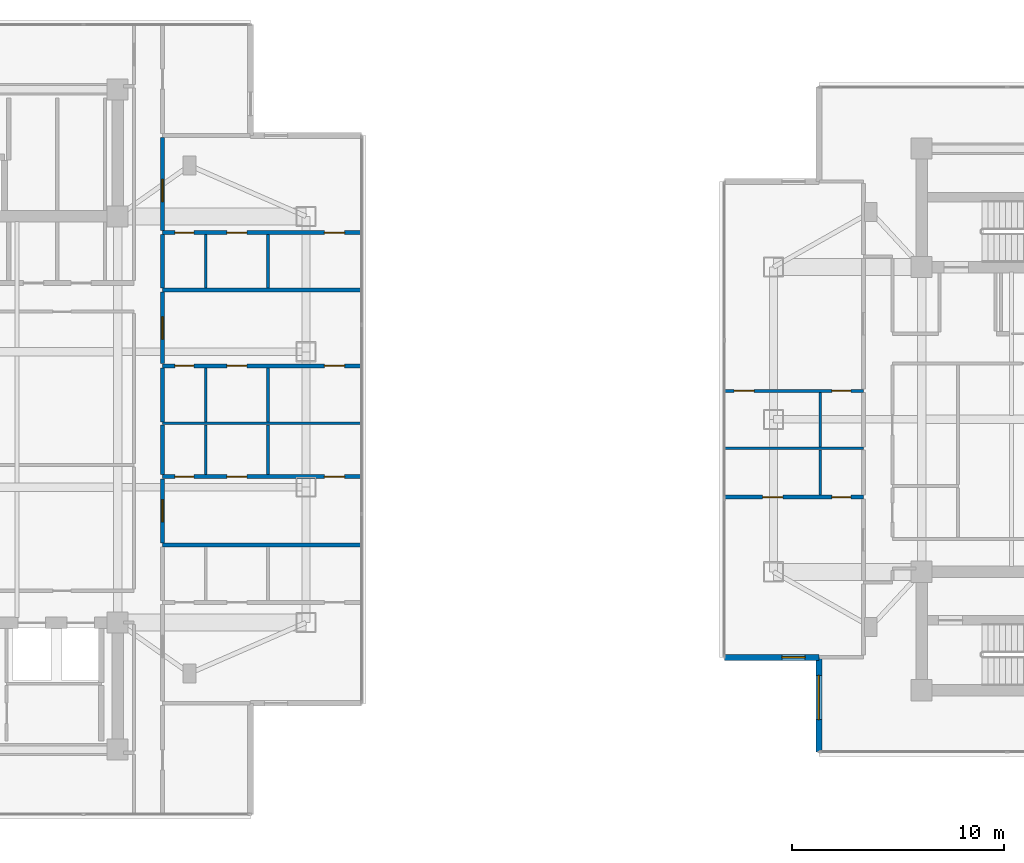
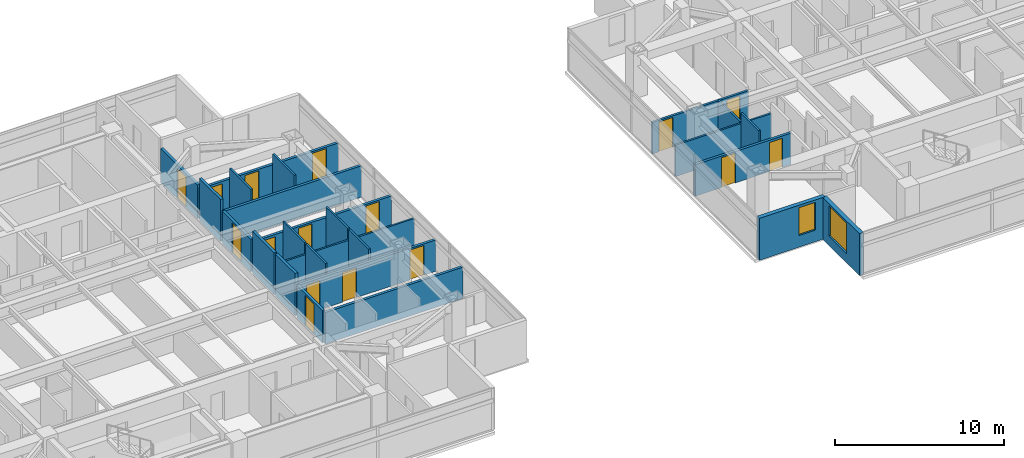
# One storey, part 16 of 26: 25 walls, 16 doors, 2 windows, 18 openings.
"""IFC4 building model written with IfcOpenShell, lengths in metres."""

from ifc_helpers import new_model, si_unit, direction, frame, frame_2d, origin, place, context, subcontext, project, spatial, rectangle, extrude, material, layer, layer_set, type_object, element, fill, save


model = new_model("IFC4")

# Units and contexts
model_context = context("Model", 3, precision=1e-05, world=origin(), true_north=direction((0.0, 1.0)))
body_context = subcontext(model_context, "Body", "Model", "MODEL_VIEW")
ifc_project = project(units=[si_unit("LENGTHUNIT", "METRE"), si_unit("AREAUNIT", "SQUARE_METRE"), si_unit("VOLUMEUNIT", "CUBIC_METRE"), si_unit("PLANEANGLEUNIT", "RADIAN"), si_unit("MASSUNIT", "GRAM", prefix="KILO")], contexts=[model_context])

# Site, building, storey
site_placement = place(None, origin())
site = spatial("IfcSite", under=ifc_project, at=site_placement, CompositionType="ELEMENT")
building_placement = place(site_placement, origin())
building = spatial("IfcBuilding", under=site, at=building_placement, Name="Mirazonda Arch Towers", CompositionType="ELEMENT")
storey_placement = place(building_placement, frame((0.0, 0.0, 170.64990234375)))
storey = spatial("IfcBuildingStorey", under=building, at=storey_placement, Name="L48", CompositionType="ELEMENT", Elevation=170.64990234375)

# Wall, opening, window
ifc_material_1 = material(Name="Precast Concrete C40/50", Category="concrete")
ifc_layer_1 = layer(ifc_material_1, 0.280029296875, Name="WALL-EXT-WALL-280")
ifc_layer_set_1 = layer_set([ifc_layer_1], Name="Precast Concrete C40/50")
wall_type_1 = type_object("IfcWallType", Name="WALL-EXT-WALL-280", PredefinedType="SOLIDWALL", material=ifc_layer_set_1)
wall_1_placement = place(storey_placement, frame((63.142578125, 16.757080078125, 0.0), z_axis=(0.0, 0.0, 1.0), x_axis=(0.0, -1.0, 0.0)))
wall_1 = element("IfcWall", 1, at=wall_1_placement, inside=storey, type_object=wall_type_1, Name="L48 T2 Notched SW Corner Wall WL-L48-T2-CSW", PredefinedType="SOLIDWALL", context=body_context, shape_type="SweptSolid", body=[
    extrude(rectangle(XDim=4.465087890625, YDim=0.280029296875, at=frame_2d((2.232421875, 0.0))), origin(), (0.0, 0.0, 1.0), 3.030029296875),
])
opening_1_placement = place(wall_1_placement, frame((0.85009765625, 0.0, 0.679931640625)))
opening_1 = element("IfcOpeningElement", 2, at=opening_1_placement, cuts=wall_1, Name="Opening WN-117", PredefinedType="OPENING", context=body_context, shape_type="SweptSolid", body=[
    extrude(rectangle(XDim=2.10009765625, YDim=2.199951171875, at=frame_2d((1.050048828125, 1.10009765625))), frame((0.0, 0.14990234375, 0.0), z_axis=(0.0, -1.0, 0.0), x_axis=(1.0, 0.0, 0.0)), (0.0, 0.0, 1.0), 0.300048828125),
])
ifc_material_2 = material(Name="Insulated Low-E Solar Glass", Category="glass")
window_type_1 = type_object("IfcWindowType", Name="WIN-RES-2100x2200", PartitioningType="SINGLE_PANEL", PredefinedType="WINDOW", material=ifc_material_2)
window_1_placement = place(opening_1_placement, origin())
window_1 = element("IfcWindow", 3, at=window_1_placement, inside=storey, type_object=window_type_1, Name="L48 Punched Facade Window WN-L48-T2-CSW", OverallHeight=2.199951171875, OverallWidth=2.10009765625, PartitioningType="SINGLE_PANEL", PredefinedType="WINDOW", context=body_context, shape_type="SweptSolid", body=[
    extrude(rectangle(XDim=2.10009765625, YDim=2.199951171875, at=frame_2d((1.050048828125, 1.10009765625))), frame((0.0, 0.030029296875, 0.0), z_axis=(0.0, -1.0, 0.0), x_axis=(1.0, 0.0, 0.0)), (0.0, 0.0, 1.0), 0.06005859375),
])
fill(opening_1, window_1)

wall_2_placement = place(storey_placement, frame((58.677490234375, 16.757080078125, 0.0), z_axis=(0.0, 0.0, 1.0), x_axis=(1.0, 0.0, 0.0)))
wall_2 = element("IfcWall", 4, at=wall_2_placement, inside=storey, type_object=wall_type_1, Name="L48 T2 Corner Notch Return Wall WL-L48-T2-CSW2", PredefinedType="SOLIDWALL", context=body_context, shape_type="SweptSolid", body=[
    extrude(rectangle(XDim=4.465087890625, YDim=0.280029296875, at=frame_2d((2.232421875, 0.0))), origin(), (0.0, 0.0, 1.0), 3.030029296875),
])
opening_2_placement = place(wall_2_placement, frame((2.715087890625, 0.0, 0.85009765625)))
opening_2 = element("IfcOpeningElement", 5, at=opening_2_placement, cuts=wall_2, Name="Opening WN-108", PredefinedType="OPENING", context=body_context, shape_type="SweptSolid", body=[
    extrude(rectangle(XDim=1.10009765625, YDim=2.0, at=frame_2d((0.550048828125, 1.0))), frame((0.0, 0.14990234375, 0.0), z_axis=(0.0, -1.0, 0.0), x_axis=(1.0, 0.0, 0.0)), (0.0, 0.0, 1.0), 0.300048828125),
])
window_type_2 = type_object("IfcWindowType", Name="WIN-NOTCH-1100x2000", PartitioningType="SINGLE_PANEL", PredefinedType="WINDOW", material=ifc_material_2)
window_2_placement = place(opening_2_placement, origin())
window_2 = element("IfcWindow", 6, at=window_2_placement, inside=storey, type_object=window_type_2, Name="L48 Punched Facade Window WN-L48-T2-CSW2", OverallHeight=2.0, OverallWidth=1.10009765625, PartitioningType="SINGLE_PANEL", PredefinedType="WINDOW", context=body_context, shape_type="SweptSolid", body=[
    extrude(rectangle(XDim=1.10009765625, YDim=2.0, at=frame_2d((0.550048828125, 1.0))), frame((0.0, 0.030029296875, 0.0), z_axis=(0.0, -1.0, 0.0), x_axis=(1.0, 0.0, 0.0)), (0.0, 0.0, 1.0), 0.06005859375),
])
fill(opening_2, window_2)

# Wall, openings, doors
ifc_material_3 = material(Name="Fire-Rated Gypsum Stud Partition")
ifc_layer_2 = layer(ifc_material_3, 0.14990234375, Name="WALL-PART-CORR-150")
ifc_layer_set_2 = layer_set([ifc_layer_2], Name="Fire-Rated Gypsum Stud Partition")
wall_type_2 = type_object("IfcWallType", Name="WALL-PART-CORR-150", PredefinedType="PARTITIONING", material=ifc_layer_set_2)
wall_3_placement = place(storey_placement, frame((58.677978515625, 29.35205078125, 0.0), z_axis=(0.0, 0.0, 1.0), x_axis=(1.0, 0.0, 0.0)))
wall_3 = element("IfcWall", 7, at=wall_3_placement, inside=storey, type_object=wall_type_2, Name="L48 Interior Partition 038", PredefinedType="PARTITIONING", context=body_context, shape_type="SweptSolid", body=[
    extrude(rectangle(XDim=6.572021484375, YDim=0.14990234375, at=frame_2d((3.2861328125, 0.0))), origin(), (0.0, 0.0, 1.0), 2.26904296875),
])
opening_3_placement = place(wall_3_placement, frame((0.4609375, 0.0, 0.0)))
opening_3 = element("IfcOpeningElement", 8, at=opening_3_placement, cuts=wall_3, Name="Opening DR-104", PredefinedType="OPENING", context=body_context, shape_type="SweptSolid", body=[
    extrude(rectangle(XDim=0.949951171875, YDim=2.14990234375, at=frame_2d((0.47509765625, 1.074951171875))), frame((0.0, 0.0849609375, 0.0), z_axis=(0.0, -1.0, 0.0), x_axis=(1.0, 0.0, 0.0)), (0.0, 0.0, 1.0), 0.169921875),
])
opening_4_placement = place(wall_3_placement, frame((5.08203125, 0.0, 0.0)))
opening_4 = element("IfcOpeningElement", 9, at=opening_4_placement, cuts=wall_3, Name="Opening DR-120", PredefinedType="OPENING", context=body_context, shape_type="SweptSolid", body=[
    extrude(rectangle(XDim=0.89990234375, YDim=2.10009765625, at=frame_2d((0.449951171875, 1.050048828125))), frame((0.0, 0.0849609375, 0.0), z_axis=(0.0, -1.0, 0.0), x_axis=(1.0, 0.0, 0.0)), (0.0, 0.0, 1.0), 0.169921875),
])
ifc_material_4 = material(Name="Architectural Brushed Steel S355", Category="steel")
door_type_1 = type_object("IfcDoorType", Name="DOOR-ROOM-950", OperationType="NOTDEFINED", PredefinedType="DOOR", material=ifc_material_4)
door_1_placement = place(opening_3_placement, origin())
door_1 = element("IfcDoor", 10, at=door_1_placement, inside=storey, type_object=door_type_1, Name="L48 Studio 2 Galley Kitchen Door", OperationType="SINGLE_SWING_RIGHT", OverallHeight=2.14990234375, OverallWidth=0.949951171875, PredefinedType="DOOR", context=body_context, shape_type="SweptSolid", body=[
    extrude(rectangle(XDim=0.949951171875, YDim=2.14990234375, at=frame_2d((0.47509765625, 1.074951171875))), frame((0.0, 0.02490234375, 0.0), z_axis=(0.0, -1.0, 0.0), x_axis=(1.0, 0.0, 0.0)), (0.0, 0.0, 1.0), 0.050048828125),
])
fill(opening_3, door_1)
door_type_2 = type_object("IfcDoorType", Name="DOOR-WC-900", OperationType="NOTDEFINED", PredefinedType="DOOR", material=ifc_material_4)
door_2_placement = place(opening_4_placement, origin())
door_2 = element("IfcDoor", 11, at=door_2_placement, inside=storey, type_object=door_type_2, Name="L48 Studio 2 Bathroom Door", OperationType="SINGLE_SWING_LEFT", OverallHeight=2.10009765625, OverallWidth=0.89990234375, PredefinedType="DOOR", context=body_context, shape_type="SweptSolid", body=[
    extrude(rectangle(XDim=0.89990234375, YDim=2.10009765625, at=frame_2d((0.449951171875, 1.050048828125))), frame((0.0, 0.02490234375, 0.0), z_axis=(0.0, -1.0, 0.0), x_axis=(1.0, 0.0, 0.0)), (0.0, 0.0, 1.0), 0.050048828125),
])
fill(opening_4, door_2)

# Wall
ifc_material_5 = material(Name="Fire-Rated Gypsum Twin-Stud Assembly")
ifc_layer_3 = layer(ifc_material_5, 0.179931640625, Name="WALL-PART-DEMISE-180")
ifc_layer_set_3 = layer_set([ifc_layer_3], Name="Fire-Rated Gypsum Twin-Stud Assembly")
wall_type_3 = type_object("IfcWallType", Name="WALL-PART-DEMISE-180", PredefinedType="PARTITIONING", material=ifc_layer_set_3)
wall_4_placement = place(storey_placement, frame((32.1201171875, 22.070068359375, 0.0), z_axis=(0.0, 0.0, 1.0), x_axis=(1.0, 0.0, 0.0)))
element("IfcWall", 12, at=wall_4_placement, inside=storey, type_object=wall_type_3, Name="L48 Interior Partition 022", PredefinedType="PARTITIONING", context=body_context, shape_type="SweptSolid", body=[
    extrude(rectangle(XDim=9.409912109375, YDim=0.179931640625, at=frame_2d((4.705078125, 0.0))), origin(), (0.0, 0.0, 1.0), 2.26904296875),
])

# Wall, openings, doors
wall_5_placement = place(storey_placement, frame((58.677978515625, 24.33203125, 0.0), z_axis=(0.0, 0.0, 1.0), x_axis=(1.0, 0.0, 0.0)))
wall_5 = element("IfcWall", 13, at=wall_5_placement, inside=storey, type_object=wall_type_3, Name="L48 Interior Partition 026", PredefinedType="PARTITIONING", context=body_context, shape_type="SweptSolid", body=[
    extrude(rectangle(XDim=6.572021484375, YDim=0.179931640625, at=frame_2d((3.2861328125, 0.0))), origin(), (0.0, 0.0, 1.0), 2.26904296875),
])
opening_5_placement = place(wall_5_placement, frame((1.81103515625, 0.0, 0.0)))
opening_5 = element("IfcOpeningElement", 14, at=opening_5_placement, cuts=wall_5, Name="Opening DR-104", PredefinedType="OPENING", context=body_context, shape_type="SweptSolid", body=[
    extrude(rectangle(XDim=0.949951171875, YDim=2.14990234375, at=frame_2d((0.47509765625, 1.074951171875))), frame((0.0, 0.099853515625, 0.0), z_axis=(0.0, -1.0, 0.0), x_axis=(1.0, 0.0, 0.0)), (0.0, 0.0, 1.0), 0.199951171875),
])
opening_6_placement = place(wall_5_placement, frame((5.08203125, 0.0, 0.0)))
opening_6 = element("IfcOpeningElement", 15, at=opening_6_placement, cuts=wall_5, Name="Opening DR-120", PredefinedType="OPENING", context=body_context, shape_type="SweptSolid", body=[
    extrude(rectangle(XDim=0.89990234375, YDim=2.10009765625, at=frame_2d((0.449951171875, 1.050048828125))), frame((0.0, 0.099853515625, 0.0), z_axis=(0.0, -1.0, 0.0), x_axis=(1.0, 0.0, 0.0)), (0.0, 0.0, 1.0), 0.199951171875),
])
door_3_placement = place(opening_5_placement, origin())
door_3 = element("IfcDoor", 16, at=door_3_placement, inside=storey, type_object=door_type_1, Name="L48 Studio 1 Galley Kitchen Door", OperationType="SINGLE_SWING_LEFT", OverallHeight=2.14990234375, OverallWidth=0.949951171875, PredefinedType="DOOR", context=body_context, shape_type="SweptSolid", body=[
    extrude(rectangle(XDim=0.949951171875, YDim=2.14990234375, at=frame_2d((0.47509765625, 1.074951171875))), frame((0.0, 0.02490234375, 0.0), z_axis=(0.0, -1.0, 0.0), x_axis=(1.0, 0.0, 0.0)), (0.0, 0.0, 1.0), 0.050048828125),
])
fill(opening_5, door_3)
door_4_placement = place(opening_6_placement, origin())
door_4 = element("IfcDoor", 17, at=door_4_placement, inside=storey, type_object=door_type_2, Name="L48 Studio 1 Bathroom Door", OperationType="SINGLE_SWING_RIGHT", OverallHeight=2.10009765625, OverallWidth=0.89990234375, PredefinedType="DOOR", context=body_context, shape_type="SweptSolid", body=[
    extrude(rectangle(XDim=0.89990234375, YDim=2.10009765625, at=frame_2d((0.449951171875, 1.050048828125))), frame((0.0, 0.02490234375, 0.0), z_axis=(0.0, -1.0, 0.0), x_axis=(1.0, 0.0, 0.0)), (0.0, 0.0, 1.0), 0.050048828125),
])
fill(opening_6, door_4)

wall_6_placement = place(storey_placement, frame((32.1201171875, 25.297119140625, 0.0), z_axis=(0.0, 0.0, 1.0), x_axis=(1.0, 0.0, 0.0)))
wall_6 = element("IfcWall", 18, at=wall_6_placement, inside=storey, type_object=wall_type_3, Name="L48 Interior Partition 030", PredefinedType="PARTITIONING", context=body_context, shape_type="SweptSolid", body=[
    extrude(rectangle(XDim=9.409912109375, YDim=0.179931640625, at=frame_2d((4.705078125, 0.0))), origin(), (0.0, 0.0, 1.0), 2.26904296875),
])
opening_7_placement = place(wall_6_placement, frame((7.654052734375, 0.0, 0.0)))
opening_7 = element("IfcOpeningElement", 19, at=opening_7_placement, cuts=wall_6, Name="Opening DR-104", PredefinedType="OPENING", context=body_context, shape_type="SweptSolid", body=[
    extrude(rectangle(XDim=0.949951171875, YDim=2.14990234375, at=frame_2d((0.47509765625, 1.074951171875))), frame((0.0, 0.099853515625, 0.0), z_axis=(0.0, -1.0, 0.0), x_axis=(1.0, 0.0, 0.0)), (0.0, 0.0, 1.0), 0.199951171875),
])
opening_8_placement = place(wall_6_placement, frame((3.0390625, 0.0, 0.0)))
opening_8 = element("IfcOpeningElement", 20, at=opening_8_placement, cuts=wall_6, Name="Opening DR-104", PredefinedType="OPENING", context=body_context, shape_type="SweptSolid", body=[
    extrude(rectangle(XDim=0.949951171875, YDim=2.14990234375, at=frame_2d((0.47509765625, 1.074951171875))), frame((0.0, 0.099853515625, 0.0), z_axis=(0.0, -1.0, 0.0), x_axis=(1.0, 0.0, 0.0)), (0.0, 0.0, 1.0), 0.199951171875),
])
opening_9_placement = place(wall_6_placement, frame((0.590087890625, 0.0, 0.0)))
opening_9 = element("IfcOpeningElement", 21, at=opening_9_placement, cuts=wall_6, Name="Opening DR-120", PredefinedType="OPENING", context=body_context, shape_type="SweptSolid", body=[
    extrude(rectangle(XDim=0.89990234375, YDim=2.10009765625, at=frame_2d((0.449951171875, 1.050048828125))), frame((0.0, 0.099853515625, 0.0), z_axis=(0.0, -1.0, 0.0), x_axis=(1.0, 0.0, 0.0)), (0.0, 0.0, 1.0), 0.199951171875),
])
door_5_placement = place(opening_7_placement, origin())
door_5 = element("IfcDoor", 22, at=door_5_placement, inside=storey, type_object=door_type_1, Name="L48 Residence 2 Principal Bedroom Door", OperationType="SINGLE_SWING_LEFT", OverallHeight=2.14990234375, OverallWidth=0.949951171875, PredefinedType="DOOR", context=body_context, shape_type="SweptSolid", body=[
    extrude(rectangle(XDim=0.949951171875, YDim=2.14990234375, at=frame_2d((0.47509765625, 1.074951171875))), frame((0.0, 0.02490234375, 0.0), z_axis=(0.0, -1.0, 0.0), x_axis=(1.0, 0.0, 0.0)), (0.0, 0.0, 1.0), 0.050048828125),
])
fill(opening_7, door_5)
door_6_placement = place(opening_8_placement, origin())
door_6 = element("IfcDoor", 23, at=door_6_placement, inside=storey, type_object=door_type_1, Name="L48 Residence 2 Fitted Kitchen Door", OperationType="SINGLE_SWING_RIGHT", OverallHeight=2.14990234375, OverallWidth=0.949951171875, PredefinedType="DOOR", context=body_context, shape_type="SweptSolid", body=[
    extrude(rectangle(XDim=0.949951171875, YDim=2.14990234375, at=frame_2d((0.47509765625, 1.074951171875))), frame((0.0, 0.02490234375, 0.0), z_axis=(0.0, -1.0, 0.0), x_axis=(1.0, 0.0, 0.0)), (0.0, 0.0, 1.0), 0.050048828125),
])
fill(opening_8, door_6)
door_7_placement = place(opening_9_placement, origin())
door_7 = element("IfcDoor", 24, at=door_7_placement, inside=storey, type_object=door_type_2, Name="L48 Residence 2 Bathroom Door", OperationType="SINGLE_SWING_LEFT", OverallHeight=2.10009765625, OverallWidth=0.89990234375, PredefinedType="DOOR", context=body_context, shape_type="SweptSolid", body=[
    extrude(rectangle(XDim=0.89990234375, YDim=2.10009765625, at=frame_2d((0.449951171875, 1.050048828125))), frame((0.0, 0.02490234375, 0.0), z_axis=(0.0, -1.0, 0.0), x_axis=(1.0, 0.0, 0.0)), (0.0, 0.0, 1.0), 0.050048828125),
])
fill(opening_9, door_7)

wall_7_placement = place(storey_placement, frame((32.1201171875, 30.532958984375, 0.0), z_axis=(0.0, 0.0, 1.0), x_axis=(1.0, 0.0, 0.0)))
wall_7 = element("IfcWall", 25, at=wall_7_placement, inside=storey, type_object=wall_type_3, Name="L48 Interior Partition 041", PredefinedType="PARTITIONING", context=body_context, shape_type="SweptSolid", body=[
    extrude(rectangle(XDim=9.409912109375, YDim=0.179931640625, at=frame_2d((4.705078125, 0.0))), origin(), (0.0, 0.0, 1.0), 2.26904296875),
])
opening_10_placement = place(wall_7_placement, frame((7.654052734375, 0.0, 0.0)))
opening_10 = element("IfcOpeningElement", 26, at=opening_10_placement, cuts=wall_7, Name="Opening DR-104", PredefinedType="OPENING", context=body_context, shape_type="SweptSolid", body=[
    extrude(rectangle(XDim=0.949951171875, YDim=2.14990234375, at=frame_2d((0.47509765625, 1.074951171875))), frame((0.0, 0.099853515625, 0.0), z_axis=(0.0, -1.0, 0.0), x_axis=(1.0, 0.0, 0.0)), (0.0, 0.0, 1.0), 0.199951171875),
])
opening_11_placement = place(wall_7_placement, frame((3.0390625, 0.0, 0.0)))
opening_11 = element("IfcOpeningElement", 27, at=opening_11_placement, cuts=wall_7, Name="Opening DR-104", PredefinedType="OPENING", context=body_context, shape_type="SweptSolid", body=[
    extrude(rectangle(XDim=0.949951171875, YDim=2.14990234375, at=frame_2d((0.47509765625, 1.074951171875))), frame((0.0, 0.099853515625, 0.0), z_axis=(0.0, -1.0, 0.0), x_axis=(1.0, 0.0, 0.0)), (0.0, 0.0, 1.0), 0.199951171875),
])
opening_12_placement = place(wall_7_placement, frame((0.590087890625, 0.0, 0.0)))
opening_12 = element("IfcOpeningElement", 28, at=opening_12_placement, cuts=wall_7, Name="Opening DR-120", PredefinedType="OPENING", context=body_context, shape_type="SweptSolid", body=[
    extrude(rectangle(XDim=0.89990234375, YDim=2.10009765625, at=frame_2d((0.449951171875, 1.050048828125))), frame((0.0, 0.099853515625, 0.0), z_axis=(0.0, -1.0, 0.0), x_axis=(1.0, 0.0, 0.0)), (0.0, 0.0, 1.0), 0.199951171875),
])
door_8_placement = place(opening_10_placement, origin())
door_8 = element("IfcDoor", 29, at=door_8_placement, inside=storey, type_object=door_type_1, Name="L48 Residence 3 Principal Bedroom Door", OperationType="SINGLE_SWING_LEFT", OverallHeight=2.14990234375, OverallWidth=0.949951171875, PredefinedType="DOOR", context=body_context, shape_type="SweptSolid", body=[
    extrude(rectangle(XDim=0.949951171875, YDim=2.14990234375, at=frame_2d((0.47509765625, 1.074951171875))), frame((0.0, 0.02490234375, 0.0), z_axis=(0.0, -1.0, 0.0), x_axis=(1.0, 0.0, 0.0)), (0.0, 0.0, 1.0), 0.050048828125),
])
fill(opening_10, door_8)
door_9_placement = place(opening_11_placement, origin())
door_9 = element("IfcDoor", 30, at=door_9_placement, inside=storey, type_object=door_type_1, Name="L48 Residence 3 Fitted Kitchen Door", OperationType="SINGLE_SWING_RIGHT", OverallHeight=2.14990234375, OverallWidth=0.949951171875, PredefinedType="DOOR", context=body_context, shape_type="SweptSolid", body=[
    extrude(rectangle(XDim=0.949951171875, YDim=2.14990234375, at=frame_2d((0.47509765625, 1.074951171875))), frame((0.0, 0.02490234375, 0.0), z_axis=(0.0, -1.0, 0.0), x_axis=(1.0, 0.0, 0.0)), (0.0, 0.0, 1.0), 0.050048828125),
])
fill(opening_11, door_9)
door_10_placement = place(opening_12_placement, origin())
door_10 = element("IfcDoor", 31, at=door_10_placement, inside=storey, type_object=door_type_2, Name="L48 Residence 3 Bathroom Door", OperationType="SINGLE_SWING_LEFT", OverallHeight=2.10009765625, OverallWidth=0.89990234375, PredefinedType="DOOR", context=body_context, shape_type="SweptSolid", body=[
    extrude(rectangle(XDim=0.89990234375, YDim=2.10009765625, at=frame_2d((0.449951171875, 1.050048828125))), frame((0.0, 0.02490234375, 0.0), z_axis=(0.0, -1.0, 0.0), x_axis=(1.0, 0.0, 0.0)), (0.0, 0.0, 1.0), 0.050048828125),
])
fill(opening_12, door_10)

# Wall
wall_8_placement = place(storey_placement, frame((32.1201171875, 34.114990234375, 0.0), z_axis=(0.0, 0.0, 1.0), x_axis=(1.0, 0.0, 0.0)))
element("IfcWall", 32, at=wall_8_placement, inside=storey, type_object=wall_type_3, Name="L48 Interior Partition 048", PredefinedType="PARTITIONING", context=body_context, shape_type="SweptSolid", body=[
    extrude(rectangle(XDim=9.409912109375, YDim=0.179931640625, at=frame_2d((4.705078125, 0.0))), origin(), (0.0, 0.0, 1.0), 2.26904296875),
])

# Wall, openings, doors
wall_9_placement = place(storey_placement, frame((32.1201171875, 36.8349609375, 0.0), z_axis=(0.0, 0.0, 1.0), x_axis=(1.0, 0.0, 0.0)))
wall_9 = element("IfcWall", 33, at=wall_9_placement, inside=storey, type_object=wall_type_3, Name="L48 Interior Partition 054", PredefinedType="PARTITIONING", context=body_context, shape_type="SweptSolid", body=[
    extrude(rectangle(XDim=9.409912109375, YDim=0.179931640625, at=frame_2d((4.705078125, 0.0))), origin(), (0.0, 0.0, 1.0), 2.26904296875),
])
opening_13_placement = place(wall_9_placement, frame((7.654052734375, 0.0, 0.0)))
opening_13 = element("IfcOpeningElement", 34, at=opening_13_placement, cuts=wall_9, Name="Opening DR-104", PredefinedType="OPENING", context=body_context, shape_type="SweptSolid", body=[
    extrude(rectangle(XDim=0.949951171875, YDim=2.14990234375, at=frame_2d((0.47509765625, 1.074951171875))), frame((0.0, 0.099853515625, 0.0), z_axis=(0.0, -1.0, 0.0), x_axis=(1.0, 0.0, 0.0)), (0.0, 0.0, 1.0), 0.199951171875),
])
opening_14_placement = place(wall_9_placement, frame((3.0390625, 0.0, 0.0)))
opening_14 = element("IfcOpeningElement", 35, at=opening_14_placement, cuts=wall_9, Name="Opening DR-104", PredefinedType="OPENING", context=body_context, shape_type="SweptSolid", body=[
    extrude(rectangle(XDim=0.949951171875, YDim=2.14990234375, at=frame_2d((0.47509765625, 1.074951171875))), frame((0.0, 0.099853515625, 0.0), z_axis=(0.0, -1.0, 0.0), x_axis=(1.0, 0.0, 0.0)), (0.0, 0.0, 1.0), 0.199951171875),
])
opening_15_placement = place(wall_9_placement, frame((0.590087890625, 0.0, 0.0)))
opening_15 = element("IfcOpeningElement", 36, at=opening_15_placement, cuts=wall_9, Name="Opening DR-120", PredefinedType="OPENING", context=body_context, shape_type="SweptSolid", body=[
    extrude(rectangle(XDim=0.89990234375, YDim=2.10009765625, at=frame_2d((0.449951171875, 1.050048828125))), frame((0.0, 0.099853515625, 0.0), z_axis=(0.0, -1.0, 0.0), x_axis=(1.0, 0.0, 0.0)), (0.0, 0.0, 1.0), 0.199951171875),
])
door_11_placement = place(opening_13_placement, origin())
door_11 = element("IfcDoor", 37, at=door_11_placement, inside=storey, type_object=door_type_1, Name="L48 Residence 4 Principal Bedroom Door", OperationType="SINGLE_SWING_LEFT", OverallHeight=2.14990234375, OverallWidth=0.949951171875, PredefinedType="DOOR", context=body_context, shape_type="SweptSolid", body=[
    extrude(rectangle(XDim=0.949951171875, YDim=2.14990234375, at=frame_2d((0.47509765625, 1.074951171875))), frame((0.0, 0.02490234375, 0.0), z_axis=(0.0, -1.0, 0.0), x_axis=(1.0, 0.0, 0.0)), (0.0, 0.0, 1.0), 0.050048828125),
])
fill(opening_13, door_11)
door_12_placement = place(opening_14_placement, origin())
door_12 = element("IfcDoor", 38, at=door_12_placement, inside=storey, type_object=door_type_1, Name="L48 Residence 4 Fitted Kitchen Door", OperationType="SINGLE_SWING_RIGHT", OverallHeight=2.14990234375, OverallWidth=0.949951171875, PredefinedType="DOOR", context=body_context, shape_type="SweptSolid", body=[
    extrude(rectangle(XDim=0.949951171875, YDim=2.14990234375, at=frame_2d((0.47509765625, 1.074951171875))), frame((0.0, 0.02490234375, 0.0), z_axis=(0.0, -1.0, 0.0), x_axis=(1.0, 0.0, 0.0)), (0.0, 0.0, 1.0), 0.050048828125),
])
fill(opening_14, door_12)
door_13_placement = place(opening_15_placement, origin())
door_13 = element("IfcDoor", 39, at=door_13_placement, inside=storey, type_object=door_type_2, Name="L48 Residence 4 Bathroom Door", OperationType="SINGLE_SWING_LEFT", OverallHeight=2.10009765625, OverallWidth=0.89990234375, PredefinedType="DOOR", context=body_context, shape_type="SweptSolid", body=[
    extrude(rectangle(XDim=0.89990234375, YDim=2.10009765625, at=frame_2d((0.449951171875, 1.050048828125))), frame((0.0, 0.02490234375, 0.0), z_axis=(0.0, -1.0, 0.0), x_axis=(1.0, 0.0, 0.0)), (0.0, 0.0, 1.0), 0.050048828125),
])
fill(opening_15, door_13)

# Wall, opening, door
wall_10_placement = place(storey_placement, frame((32.1201171875, 22.169921875, 0.0), z_axis=(0.0, 0.0, 1.0), x_axis=(0.0, 1.0, 0.0)))
wall_10 = element("IfcWall", 40, at=wall_10_placement, inside=storey, type_object=wall_type_3, Name="L48 Interior Partition 123", PredefinedType="PARTITIONING", context=body_context, shape_type="SweptSolid", body=[
    extrude(rectangle(XDim=3.027099609375, YDim=0.179931640625, at=frame_2d((1.513671875, 0.0))), origin(), (0.0, 0.0, 1.0), 2.34619140625),
])
opening_16_placement = place(wall_10_placement, frame((0.988525390625, 0.0, 0.0)))
opening_16 = element("IfcOpeningElement", 41, at=opening_16_placement, cuts=wall_10, Name="Opening DR-121", PredefinedType="OPENING", context=body_context, shape_type="SweptSolid", body=[
    extrude(rectangle(XDim=1.050048828125, YDim=2.199951171875, at=frame_2d((0.52490234375, 1.10009765625))), frame((0.0, 0.099853515625, 0.0), z_axis=(0.0, -1.0, 0.0), x_axis=(1.0, 0.0, 0.0)), (0.0, 0.0, 1.0), 0.199951171875),
])
door_type_3 = type_object("IfcDoorType", Name="DOOR-SUITE-FD60-1050", OperationType="NOTDEFINED", PredefinedType="DOOR", material=ifc_material_4)
door_14_placement = place(opening_16_placement, origin())
door_14 = element("IfcDoor", 42, at=door_14_placement, inside=storey, type_object=door_type_3, Name="L48 Residence 2 Living & Dining Salon Door", OperationType="SINGLE_SWING_RIGHT", OverallHeight=2.199951171875, OverallWidth=1.050048828125, PredefinedType="DOOR", context=body_context, shape_type="SweptSolid", body=[
    extrude(rectangle(XDim=1.050048828125, YDim=2.199951171875, at=frame_2d((0.52490234375, 1.10009765625))), frame((0.0, 0.02490234375, 0.0), z_axis=(0.0, -1.0, 0.0), x_axis=(1.0, 0.0, 0.0)), (0.0, 0.0, 1.0), 0.050048828125),
])
fill(opening_16, door_14)

# Walls
wall_11_placement = place(storey_placement, frame((32.1201171875, 25.39697265625, 0.0), z_axis=(0.0, 0.0, 1.0), x_axis=(0.0, 1.0, 0.0)))
element("IfcWall", 43, at=wall_11_placement, inside=storey, type_object=wall_type_3, Name="L48 Interior Partition 124", PredefinedType="PARTITIONING", context=body_context, shape_type="SweptSolid", body=[
    extrude(rectangle(XDim=2.345458984375, YDim=0.179931640625, at=frame_2d((1.1728515625, 0.0))), origin(), (0.0, 0.0, 1.0), 3.050048828125),
])
wall_12_placement = place(storey_placement, frame((32.1201171875, 27.887451171875, 0.0), z_axis=(0.0, 0.0, 1.0), x_axis=(0.0, 1.0, 0.0)))
element("IfcWall", 44, at=wall_12_placement, inside=storey, type_object=wall_type_3, Name="L48 Interior Partition 125", PredefinedType="PARTITIONING", context=body_context, shape_type="SweptSolid", body=[
    extrude(rectangle(XDim=2.545654296875, YDim=0.179931640625, at=frame_2d((1.27294921875, 0.0))), origin(), (0.0, 0.0, 1.0), 3.050048828125),
])

# Wall, opening, door
wall_13_placement = place(storey_placement, frame((32.1201171875, 30.633056640625, 0.0), z_axis=(0.0, 0.0, 1.0), x_axis=(0.0, 1.0, 0.0)))
wall_13 = element("IfcWall", 45, at=wall_13_placement, inside=storey, type_object=wall_type_3, Name="L48 Interior Partition 126", PredefinedType="PARTITIONING", context=body_context, shape_type="SweptSolid", body=[
    extrude(rectangle(XDim=3.3818359375, YDim=0.179931640625, at=frame_2d((1.69091796875, 0.0))), origin(), (0.0, 0.0, 1.0), 2.34619140625),
])
opening_17_placement = place(wall_13_placement, frame((1.166015625, 0.0, 0.0)))
opening_17 = element("IfcOpeningElement", 46, at=opening_17_placement, cuts=wall_13, Name="Opening DR-121", PredefinedType="OPENING", context=body_context, shape_type="SweptSolid", body=[
    extrude(rectangle(XDim=1.050048828125, YDim=2.199951171875, at=frame_2d((0.52490234375, 1.10009765625))), frame((0.0, 0.099853515625, 0.0), z_axis=(0.0, -1.0, 0.0), x_axis=(1.0, 0.0, 0.0)), (0.0, 0.0, 1.0), 0.199951171875),
])
door_15_placement = place(opening_17_placement, origin())
door_15 = element("IfcDoor", 47, at=door_15_placement, inside=storey, type_object=door_type_3, Name="L48 Residence 3 Living & Dining Salon Door", OperationType="SINGLE_SWING_RIGHT", OverallHeight=2.199951171875, OverallWidth=1.050048828125, PredefinedType="DOOR", context=body_context, shape_type="SweptSolid", body=[
    extrude(rectangle(XDim=1.050048828125, YDim=2.199951171875, at=frame_2d((0.52490234375, 1.10009765625))), frame((0.0, 0.02490234375, 0.0), z_axis=(0.0, -1.0, 0.0), x_axis=(1.0, 0.0, 0.0)), (0.0, 0.0, 1.0), 0.050048828125),
])
fill(opening_17, door_15)

# Wall
wall_14_placement = place(storey_placement, frame((32.1201171875, 34.215087890625, 0.0), z_axis=(0.0, 0.0, 1.0), x_axis=(0.0, 1.0, 0.0)))
element("IfcWall", 48, at=wall_14_placement, inside=storey, type_object=wall_type_3, Name="L48 Interior Partition 127", PredefinedType="PARTITIONING", context=body_context, shape_type="SweptSolid", body=[
    extrude(rectangle(XDim=2.52001953125, YDim=0.179931640625, at=frame_2d((1.260009765625, 0.0))), origin(), (0.0, 0.0, 1.0), 3.050048828125),
])

# Wall, opening, door
wall_15_placement = place(storey_placement, frame((32.1201171875, 36.93505859375, 0.0), z_axis=(0.0, 0.0, 1.0), x_axis=(0.0, 1.0, 0.0)))
wall_15 = element("IfcWall", 49, at=wall_15_placement, inside=storey, type_object=wall_type_3, Name="L48 Interior Partition 128", PredefinedType="PARTITIONING", context=body_context, shape_type="SweptSolid", body=[
    extrude(rectangle(XDim=4.3798828125, YDim=0.179931640625, at=frame_2d((2.18994140625, 0.0))), origin(), (0.0, 0.0, 1.0), 2.442138671875),
])
opening_18_placement = place(wall_15_placement, frame((1.364990234375, 0.0, 0.0)))
opening_18 = element("IfcOpeningElement", 50, at=opening_18_placement, cuts=wall_15, Name="Opening DR-121", PredefinedType="OPENING", context=body_context, shape_type="SweptSolid", body=[
    extrude(rectangle(XDim=1.050048828125, YDim=2.199951171875, at=frame_2d((0.52490234375, 1.10009765625))), frame((0.0, 0.099853515625, 0.0), z_axis=(0.0, -1.0, 0.0), x_axis=(1.0, 0.0, 0.0)), (0.0, 0.0, 1.0), 0.199951171875),
])
door_16_placement = place(opening_18_placement, origin())
door_16 = element("IfcDoor", 51, at=door_16_placement, inside=storey, type_object=door_type_3, Name="L48 Residence 4 Living & Dining Salon Door", OperationType="SINGLE_SWING_RIGHT", OverallHeight=2.199951171875, OverallWidth=1.050048828125, PredefinedType="DOOR", context=body_context, shape_type="SweptSolid", body=[
    extrude(rectangle(XDim=1.050048828125, YDim=2.199951171875, at=frame_2d((0.52490234375, 1.10009765625))), frame((0.0, 0.02490234375, 0.0), z_axis=(0.0, -1.0, 0.0), x_axis=(1.0, 0.0, 0.0)), (0.0, 0.0, 1.0), 0.050048828125),
])
fill(opening_18, door_16)

# Walls
ifc_material_6 = material(Name="Acoustic Fire-Rated Gypsum Partition")
ifc_layer_4 = layer(ifc_material_6, 0.125, Name="WALL-PART-UNIT-125")
ifc_layer_set_4 = layer_set([ifc_layer_4], Name="Acoustic Fire-Rated Gypsum Partition")
wall_type_4 = type_object("IfcWallType", Name="WALL-PART-UNIT-125", PredefinedType="PARTITIONING", material=ifc_layer_set_4)
wall_16_placement = place(storey_placement, frame((58.677978515625, 26.632080078125, 0.0), z_axis=(0.0, 0.0, 1.0), x_axis=(1.0, 0.0, 0.0)))
element("IfcWall", 52, at=wall_16_placement, inside=storey, type_object=wall_type_4, Name="L48 Interior Partition 033", PredefinedType="PARTITIONING", context=body_context, shape_type="SweptSolid", body=[
    extrude(rectangle(XDim=6.572021484375, YDim=0.125, at=frame_2d((3.2861328125, 0.0))), origin(), (0.0, 0.0, 1.0), 2.26904296875),
])
wall_17_placement = place(storey_placement, frame((32.1201171875, 27.81494140625, 0.0), z_axis=(0.0, 0.0, 1.0), x_axis=(1.0, 0.0, 0.0)))
element("IfcWall", 53, at=wall_17_placement, inside=storey, type_object=wall_type_4, Name="L48 Interior Partition 037", PredefinedType="PARTITIONING", context=body_context, shape_type="SweptSolid", body=[
    extrude(rectangle(XDim=9.409912109375, YDim=0.125, at=frame_2d((4.705078125, 0.0))), origin(), (0.0, 0.0, 1.0), 2.26904296875),
])
wall_18_placement = place(storey_placement, frame((34.159912109375, 25.39697265625, 0.0), z_axis=(0.0, 0.0, 1.0), x_axis=(0.0, 1.0, 0.0)))
element("IfcWall", 54, at=wall_18_placement, inside=storey, type_object=wall_type_4, Name="L48 Interior Partition 131", PredefinedType="PARTITIONING", context=body_context, shape_type="SweptSolid", body=[
    extrude(rectangle(XDim=2.345458984375, YDim=0.125, at=frame_2d((1.1728515625, 0.0))), origin(), (0.0, 0.0, 1.0), 3.050048828125),
])
wall_19_placement = place(storey_placement, frame((34.159912109375, 27.887451171875, 0.0), z_axis=(0.0, 0.0, 1.0), x_axis=(0.0, 1.0, 0.0)))
element("IfcWall", 55, at=wall_19_placement, inside=storey, type_object=wall_type_4, Name="L48 Interior Partition 132", PredefinedType="PARTITIONING", context=body_context, shape_type="SweptSolid", body=[
    extrude(rectangle(XDim=2.545654296875, YDim=0.125, at=frame_2d((1.27294921875, 0.0))), origin(), (0.0, 0.0, 1.0), 3.050048828125),
])
wall_20_placement = place(storey_placement, frame((34.159912109375, 34.215087890625, 0.0), z_axis=(0.0, 0.0, 1.0), x_axis=(0.0, 1.0, 0.0)))
element("IfcWall", 56, at=wall_20_placement, inside=storey, type_object=wall_type_4, Name="L48 Interior Partition 133", PredefinedType="PARTITIONING", context=body_context, shape_type="SweptSolid", body=[
    extrude(rectangle(XDim=2.52001953125, YDim=0.125, at=frame_2d((1.260009765625, 0.0))), origin(), (0.0, 0.0, 1.0), 3.050048828125),
])
wall_21_placement = place(storey_placement, frame((37.10791015625, 25.39697265625, 0.0), z_axis=(0.0, 0.0, 1.0), x_axis=(0.0, 1.0, 0.0)))
element("IfcWall", 57, at=wall_21_placement, inside=storey, type_object=wall_type_4, Name="L48 Interior Partition 135", PredefinedType="PARTITIONING", context=body_context, shape_type="SweptSolid", body=[
    extrude(rectangle(XDim=2.345458984375, YDim=0.125, at=frame_2d((1.1728515625, 0.0))), origin(), (0.0, 0.0, 1.0), 3.050048828125),
])
wall_22_placement = place(storey_placement, frame((37.10791015625, 27.887451171875, 0.0), z_axis=(0.0, 0.0, 1.0), x_axis=(0.0, 1.0, 0.0)))
element("IfcWall", 58, at=wall_22_placement, inside=storey, type_object=wall_type_4, Name="L48 Interior Partition 136", PredefinedType="PARTITIONING", context=body_context, shape_type="SweptSolid", body=[
    extrude(rectangle(XDim=2.545654296875, YDim=0.125, at=frame_2d((1.27294921875, 0.0))), origin(), (0.0, 0.0, 1.0), 3.050048828125),
])
wall_23_placement = place(storey_placement, frame((37.10791015625, 34.215087890625, 0.0), z_axis=(0.0, 0.0, 1.0), x_axis=(0.0, 1.0, 0.0)))
element("IfcWall", 59, at=wall_23_placement, inside=storey, type_object=wall_type_4, Name="L48 Interior Partition 137", PredefinedType="PARTITIONING", context=body_context, shape_type="SweptSolid", body=[
    extrude(rectangle(XDim=2.52001953125, YDim=0.125, at=frame_2d((1.260009765625, 0.0))), origin(), (0.0, 0.0, 1.0), 3.050048828125),
])
wall_24_placement = place(storey_placement, frame((63.2099609375, 24.431884765625, 0.0), z_axis=(0.0, 0.0, 1.0), x_axis=(0.0, 1.0, 0.0)))
element("IfcWall", 60, at=wall_24_placement, inside=storey, type_object=wall_type_4, Name="L48 Interior Partition 138", PredefinedType="PARTITIONING", context=body_context, shape_type="SweptSolid", body=[
    extrude(rectangle(XDim=2.127685546875, YDim=0.125, at=frame_2d((1.06396484375, 0.0))), origin(), (0.0, 0.0, 1.0), 3.050048828125),
])
wall_25_placement = place(storey_placement, frame((63.2099609375, 26.70458984375, 0.0), z_axis=(0.0, 0.0, 1.0), x_axis=(0.0, 1.0, 0.0)))
element("IfcWall", 61, at=wall_25_placement, inside=storey, type_object=wall_type_4, Name="L48 Interior Partition 139", PredefinedType="PARTITIONING", context=body_context, shape_type="SweptSolid", body=[
    extrude(rectangle(XDim=2.5625, YDim=0.125, at=frame_2d((1.28125, 0.0))), origin(), (0.0, 0.0, 1.0), 2.34619140625),
])

save(model, "model.ifc")
